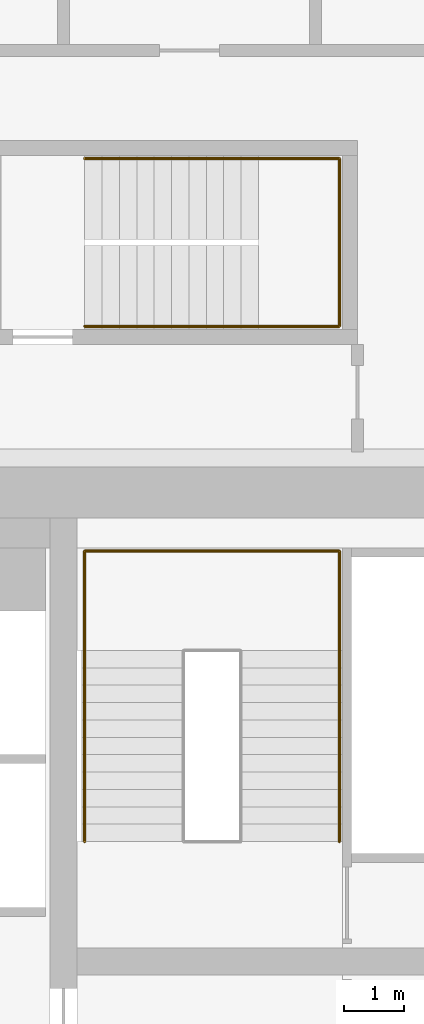
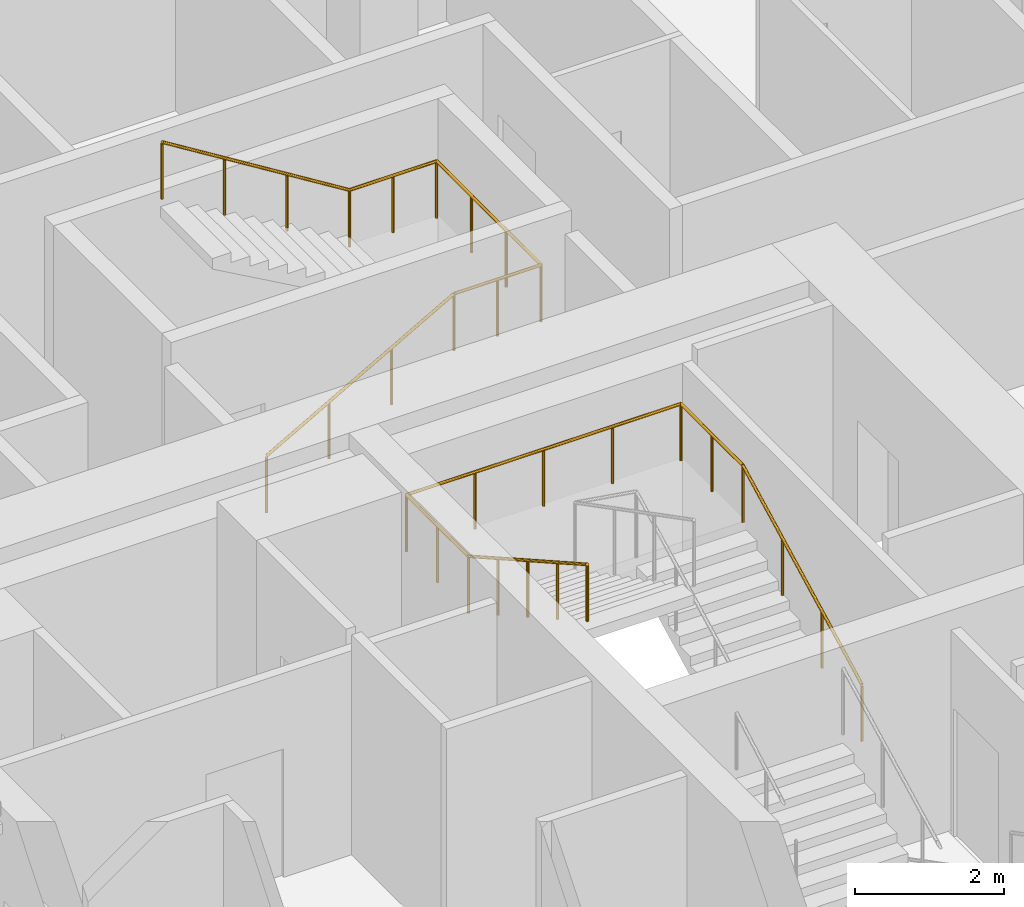
# One storey, part 33 of 33: 2 railings.
"""IFC4 building model written with IfcOpenShell, lengths in metres."""

import ifcopenshell
import ifcopenshell.guid

model = None  # the IFC model being written
_history = None  # IfcOwnerHistory: only IFC2X3 demands one
_inside = {}  # id of a spatial element -> (the spatial element, [elements in it])
_under = {}  # id of a project, library or spatial element -> (it, [spatial elements below it])
_declared = {}  # id of a project -> (the project, [libraries it declares])
_typed = {}  # id of a type object -> (the type object, [elements of that type])
_made_of = {}  # id of a material, layer set ... -> (it, [elements and type objects made of it])


def new_model(schema):
    """Start an empty IFC model of exactly this schema.

    Asked for "IFC4X3", IfcOpenShell would pick the latest addendum, in which some entities
    have other attributes; the version numbers below select the first issue.
    IFC2X3 requires an IfcOwnerHistory on every rooted entity: one is made here for all.
    """
    global model, _history
    if schema == "IFC4X3":
        model = ifcopenshell.file(schema_version=(4, 3, 0, 0))
    else:
        model = ifcopenshell.file(schema=schema)
    _inside.clear()
    _under.clear()
    _declared.clear()
    _typed.clear()
    _made_of.clear()
    _history = None
    if model.schema == "IFC2X3":
        org = make("IfcOrganization", Name="unknown")
        user = make(
            "IfcPersonAndOrganization",
            ThePerson=make("IfcPerson", FamilyName="unknown"),
            TheOrganization=org,
        )
        app = make(
            "IfcApplication",
            ApplicationDeveloper=org,
            Version="unknown",
            ApplicationFullName="unknown",
            ApplicationIdentifier="unknown",
        )
        _history = make(
            "IfcOwnerHistory",
            OwningUser=user,
            OwningApplication=app,
            ChangeAction="ADDED",
            CreationDate=0,
        )
    return model


def make(cls, **values):
    """One entity of the class cls with the attributes given. An attribute that is None is left unset."""
    return model.create_entity(
        cls, **{name: value for name, value in values.items() if value is not None}
    )


def rooted(cls, **values):
    """An entity with a GlobalId (a new one), such as an element, a storey or a relation."""
    return make(cls, GlobalId=ifcopenshell.guid.new(), OwnerHistory=_history, **values)


def si_unit(unit_type, name, prefix=None):
    """IfcSIUnit, for example si_unit("LENGTHUNIT", "METRE", prefix="MILLI")."""
    return make("IfcSIUnit", UnitType=unit_type, Prefix=prefix, Name=name)


def assignment(units):
    """IfcUnitAssignment: the units of a project."""
    return None if units is None else make("IfcUnitAssignment", Units=units)


def point(xyz):
    """IfcCartesianPoint."""
    return None if xyz is None else make("IfcCartesianPoint", Coordinates=xyz)


def direction(xyz):
    """IfcDirection."""
    return None if xyz is None else make("IfcDirection", DirectionRatios=xyz)


def frame(location, z_axis=None, x_axis=None):
    """IfcAxis2Placement3D, a coordinate frame: its origin and axes. An axis left out is left unset."""
    return make(
        "IfcAxis2Placement3D",
        Location=point(location),
        Axis=direction(z_axis),
        RefDirection=direction(x_axis),
    )


def frame_2d(location, x_axis=None):
    """IfcAxis2Placement2D, a coordinate frame in the plane: its origin and x axis."""
    return make(
        "IfcAxis2Placement2D", Location=point(location), RefDirection=direction(x_axis)
    )


def origin():
    """The frame at (0, 0, 0) with its axes left unset."""
    return frame((0.0, 0.0, 0.0))


def origin_2d():
    """The frame at (0, 0) in the plane with its x axis left unset."""
    return frame_2d((0.0, 0.0))


def place(relative_to, where):
    """IfcLocalPlacement: puts the frame where relative to a parent placement (None: the world)."""
    return make(
        "IfcLocalPlacement", PlacementRelTo=relative_to, RelativePlacement=where
    )


def context(
    kind, dimensions, precision=None, world=None, true_north=None, identifier=None
):
    """IfcGeometricRepresentationContext, for example the 3D "Model" context."""
    return make(
        "IfcGeometricRepresentationContext",
        ContextIdentifier=identifier,
        ContextType=kind,
        CoordinateSpaceDimension=dimensions,
        Precision=precision,
        WorldCoordinateSystem=world,
        TrueNorth=true_north,
    )


def subcontext(parent, identifier, kind, view, scale=None):
    """IfcGeometricRepresentationSubContext, for example "Body" below "Model"."""
    return make(
        "IfcGeometricRepresentationSubContext",
        ContextIdentifier=identifier,
        ContextType=kind,
        ParentContext=parent,
        TargetScale=scale,
        TargetView=view,
    )


def project(units=None, contexts=None):
    """IfcProject with its units and contexts."""
    return rooted(
        "IfcProject",
        Name="project",
        RepresentationContexts=contexts,
        UnitsInContext=assignment(units),
    )


def spatial(cls, under=None, at=None, **own):
    """A site, building, storey or space (cls), placed at a placement, below another one or the project."""
    s = rooted(cls, ObjectPlacement=at, **own)
    if under is not None:
        _under.setdefault(under.id(), (under, []))[1].append(s)
    return s


def profile(cls, at=None, kind="AREA", **sizes):
    """A parametric profile (cls). Its sizes go by their IFC names, for example OverallWidth=200.0."""
    return make(cls, ProfileType=kind, Position=at, **sizes)


def circle(**sizes):
    """IfcCircleProfileDef."""
    return profile("IfcCircleProfileDef", **sizes)


def extrude(swept, where, along, depth):
    """IfcExtrudedAreaSolid: the profile swept, set in the frame where, extruded along a direction by depth."""
    return make(
        "IfcExtrudedAreaSolid",
        SweptArea=swept,
        Position=where,
        ExtrudedDirection=direction(along),
        Depth=depth,
    )


def shape(context_of_items, identifier, shape_type, items):
    """IfcShapeRepresentation: the items that make up one representation, for example the "Body"."""
    return make(
        "IfcShapeRepresentation",
        ContextOfItems=context_of_items,
        RepresentationIdentifier=identifier,
        RepresentationType=shape_type,
        Items=items,
    )


def material(Name=None, Category=None):
    """IfcMaterial."""
    return make("IfcMaterial", Name=Name, Category=Category)


def made_of(thing, what):
    """Note that an element or type object is made of a material, layer set ...; save() writes the relation."""
    if what is not None:
        _made_of.setdefault(what.id(), (what, []))[1].append(thing)
    return thing


def type_object(cls, material=None, **own):
    """A type object (cls), such as IfcWallType, which elements share."""
    return made_of(rooted(cls, **own), material)


def element(
    cls,
    number,
    at=None,
    inside=None,
    cuts=None,
    type_object=None,
    material=None,
    context=None,
    identifier="Body",
    shape_type=None,
    held_by="IfcProductDefinitionShape",
    body=None,
    shapes=None,
    **own,
):
    """One element of the class cls, such as IfcWall. Its Tag is "e" and its number.

    at: its placement. inside: the storey or other place that contains it. cuts: it is an
    opening in that element (IfcRelVoidsElement). A single representation is given by context,
    identifier, shape_type and body (its items); several are given by shapes. held_by: the class
    of the entity that holds the representations. save() writes the other relations.
    """
    e = rooted(cls, Tag="e%d" % number, ObjectPlacement=at, **own)
    if body is not None:
        shapes = [shape(context, identifier, shape_type, body)]
    if shapes is not None:
        e.Representation = make(held_by, Representations=shapes)
    if inside is not None:
        _inside.setdefault(inside.id(), (inside, []))[1].append(e)
    if cuts is not None:
        rooted(
            "IfcRelVoidsElement", RelatingBuildingElement=cuts, RelatedOpeningElement=e
        )
    if type_object is not None:
        _typed.setdefault(type_object.id(), (type_object, []))[1].append(e)
    return made_of(e, material)


def aggregate(whole, parts):
    """IfcRelAggregates: a whole, such as a stair, and the parts it consists of."""
    return rooted("IfcRelAggregates", RelatingObject=whole, RelatedObjects=parts)


def save(model, path):
    """Write the relations noted so far, then the file.

    IfcRelAggregates (storeys below a building ...), IfcRelContainedInSpatialStructure (elements
    in a storey), IfcRelDefinesByType, IfcRelAssociatesMaterial and IfcRelDeclares: one each for
    every whole, place, type object, material and project.
    """
    for whole, parts in _under.values():
        aggregate(whole, parts)
    for where, things in _inside.values():
        rooted(
            "IfcRelContainedInSpatialStructure",
            RelatedElements=things,
            RelatingStructure=where,
        )
    for kind, things in _typed.values():
        rooted("IfcRelDefinesByType", RelatedObjects=things, RelatingType=kind)
    for what, things in _made_of.values():
        rooted("IfcRelAssociatesMaterial", RelatedObjects=things, RelatingMaterial=what)
    for by, libraries in _declared.values():
        rooted("IfcRelDeclares", RelatingContext=by, RelatedDefinitions=libraries)
    model.write(path)


model = new_model("IFC4")

# Units and contexts
model_context = context("Model", 3, precision=1e-05, world=origin(), true_north=direction((0.0, 1.0)))
body_context = subcontext(model_context, "Body", "Model", "MODEL_VIEW")
ifc_project = project(units=[si_unit("LENGTHUNIT", "METRE"), si_unit("AREAUNIT", "SQUARE_METRE"), si_unit("VOLUMEUNIT", "CUBIC_METRE"), si_unit("PLANEANGLEUNIT", "RADIAN"), si_unit("MASSUNIT", "GRAM", prefix="KILO")], contexts=[model_context])

# Site, building, storey
site_placement = place(None, origin())
site = spatial("IfcSite", under=ifc_project, at=site_placement, CompositionType="ELEMENT")
building_placement = place(site_placement, origin())
building = spatial("IfcBuilding", under=site, at=building_placement, Name="Marenta Gate Hotel Tower", CompositionType="ELEMENT")
storey_placement = place(building_placement, frame((0.0, 0.0, 122.89990234375)))
storey = spatial("IfcBuildingStorey", under=building, at=storey_placement, Name="L27", CompositionType="ELEMENT", Elevation=122.89990234375)

# Railings
ifc_material = material(Name="Stainless steel", Category="steel")
railing_type = type_object("IfcRailingType", Name="Core stair handrail 950", PredefinedType="HANDRAIL", material=ifc_material)
railing_1_placement = place(storey_placement, frame((8.800048828125, 10.39990234375, 0.150146484375)))
element("IfcRailing", 1, at=railing_1_placement, inside=storey, type_object=railing_type, Name="HR-950 L27-KR-ST4-1", PredefinedType="HANDRAIL", context=body_context, shape_type="SweptSolid", body=[
    extrude(circle(Radius=0.02392578125, at=origin_2d()), frame((0.0, 0.0, 0.92578125), z_axis=(0.0, 0.888239641807, 0.459380385653), x_axis=(-1.0, 0.0, 0.0)), (0.0, 0.0, 1.0), 3.591552734375),
    extrude(circle(Radius=0.02392578125, at=origin_2d()), frame((0.0, 3.190185546875, 2.57568359375), z_axis=(0.0, 1.0, 0.0), x_axis=(-1.0, 0.0, 0.0)), (0.0, 0.0, 1.0), 1.659912109375),
    extrude(circle(Radius=0.02392578125, at=origin_2d()), frame((0.0, 4.85009765625, 2.57568359375), z_axis=(-1.0, 0.0, 0.0), x_axis=(0.0, -1.0, 0.0)), (0.0, 0.0, 1.0), 4.25),
    extrude(circle(Radius=0.02392578125, at=origin_2d()), frame((-4.25, 4.85009765625, 2.57568359375), z_axis=(0.0, -1.0, 0.0), x_axis=(1.0, 0.0, 0.0)), (0.0, 0.0, 1.0), 1.659912109375),
    extrude(circle(Radius=0.02392578125, at=origin_2d()), frame((-4.25, 3.190185546875, 2.57568359375), z_axis=(0.0, -0.870925075533, 0.491415824742), x_axis=(1.0, 0.0, 0.0)), (0.0, 0.0, 1.0), 3.6630859375),
    extrude(circle(Radius=0.02099609375, at=origin_2d()), origin(), (0.0, 0.0, 1.0), 0.90185546875),
    extrude(circle(Radius=0.02099609375, at=origin_2d()), frame((0.0, 1.0634765625, 0.550048828125)), (0.0, 0.0, 1.0), 0.90185546875),
    extrude(circle(Radius=0.02099609375, at=origin_2d()), frame((0.0, 2.126708984375, 1.099853515625)), (0.0, 0.0, 1.0), 0.90185546875),
    extrude(circle(Radius=0.02099609375, at=origin_2d()), frame((0.0, 3.190185546875, 1.64990234375)), (0.0, 0.0, 1.0), 0.90185546875),
    extrude(circle(Radius=0.02099609375, at=origin_2d()), frame((0.0, 4.02001953125, 1.64990234375)), (0.0, 0.0, 1.0), 0.90185546875),
    extrude(circle(Radius=0.02099609375, at=origin_2d()), frame((0.0, 4.85009765625, 1.64990234375)), (0.0, 0.0, 1.0), 0.90185546875),
    extrude(circle(Radius=0.02099609375, at=origin_2d()), frame((-1.0625, 4.85009765625, 1.64990234375)), (0.0, 0.0, 1.0), 0.90185546875),
    extrude(circle(Radius=0.02099609375, at=origin_2d()), frame((-2.125, 4.85009765625, 1.64990234375)), (0.0, 0.0, 1.0), 0.90185546875),
    extrude(circle(Radius=0.02099609375, at=origin_2d()), frame((-3.1875, 4.85009765625, 1.64990234375)), (0.0, 0.0, 1.0), 0.90185546875),
    extrude(circle(Radius=0.02099609375, at=origin_2d()), frame((-4.25, 4.85009765625, 1.64990234375)), (0.0, 0.0, 1.0), 0.90185546875),
    extrude(circle(Radius=0.02099609375, at=origin_2d()), frame((-4.25, 4.02001953125, 1.64990234375)), (0.0, 0.0, 1.0), 0.90185546875),
    extrude(circle(Radius=0.02099609375, at=origin_2d()), frame((-4.25, 3.190185546875, 1.64990234375)), (0.0, 0.0, 1.0), 0.90185546875),
    extrude(circle(Radius=0.02099609375, at=origin_2d()), frame((-4.25, 2.392578125, 2.099853515625)), (0.0, 0.0, 1.0), 0.90185546875),
    extrude(circle(Radius=0.02099609375, at=origin_2d()), frame((-4.25, 1.59521484375, 2.5498046875)), (0.0, 0.0, 1.0), 0.90185546875),
    extrude(circle(Radius=0.02099609375, at=origin_2d()), frame((-4.25, 0.797607421875, 3.0)), (0.0, 0.0, 1.0), 0.90185546875),
    extrude(circle(Radius=0.02099609375, at=origin_2d()), frame((-4.25, 0.0, 3.449951171875)), (0.0, 0.0, 1.0), 0.90185546875),
])
railing_2_placement = place(storey_placement, frame((4.550048828125, 19.0, 0.163818359375)))
element("IfcRailing", 2, at=railing_2_placement, inside=storey, type_object=railing_type, Name="HR-950 L27-RS-Z2-4-KR-1", PredefinedType="HANDRAIL", context=body_context, shape_type="SweptSolid", body=[
    extrude(circle(Radius=0.02392578125, at=origin_2d()), frame((0.0, 0.0, 0.92578125), z_axis=(0.870928581787, 0.0, 0.491409610636), x_axis=(0.0, 1.0, 0.0)), (0.0, 0.0, 1.0), 3.32958984375),
    extrude(circle(Radius=0.02392578125, at=origin_2d()), frame((2.89990234375, 0.0, 2.56201171875), z_axis=(1.0, 0.0, 0.0), x_axis=(0.0, 1.0, 0.0)), (0.0, 0.0, 1.0), 1.35009765625),
    extrude(circle(Radius=0.02392578125, at=origin_2d()), frame((4.25, 0.0, 2.56201171875), z_axis=(0.0, 1.0, 0.0), x_axis=(-1.0, 0.0, 0.0)), (0.0, 0.0, 1.0), 2.800048828125),
    extrude(circle(Radius=0.02392578125, at=origin_2d()), frame((4.25, 2.800048828125, 2.56201171875), z_axis=(-1.0, 0.0, 0.0), x_axis=(0.0, -1.0, 0.0)), (0.0, 0.0, 1.0), 1.35009765625),
    extrude(circle(Radius=0.02392578125, at=origin_2d()), frame((2.89990234375, 2.800048828125, 2.56201171875), z_axis=(-0.849625798611, 0.0, 0.527386008853), x_axis=(0.0, -1.0, 0.0)), (0.0, 0.0, 1.0), 3.4130859375),
    extrude(circle(Radius=0.02099609375, at=origin_2d()), origin(), (0.0, 0.0, 1.0), 0.90185546875),
    extrude(circle(Radius=0.02099609375, at=origin_2d()), frame((0.966552734375, 0.0, 0.54541015625)), (0.0, 0.0, 1.0), 0.90185546875),
    extrude(circle(Radius=0.02099609375, at=origin_2d()), frame((1.933349609375, 0.0, 1.0908203125)), (0.0, 0.0, 1.0), 0.90185546875),
    extrude(circle(Radius=0.02099609375, at=origin_2d()), frame((2.89990234375, 0.0, 1.63623046875)), (0.0, 0.0, 1.0), 0.90185546875),
    extrude(circle(Radius=0.02099609375, at=origin_2d()), frame((3.574951171875, 0.0, 1.63623046875)), (0.0, 0.0, 1.0), 0.90185546875),
    extrude(circle(Radius=0.02099609375, at=origin_2d()), frame((4.25, 0.0, 1.63623046875)), (0.0, 0.0, 1.0), 0.90185546875),
    extrude(circle(Radius=0.02099609375, at=origin_2d()), frame((4.25, 0.933349609375, 1.63623046875)), (0.0, 0.0, 1.0), 0.90185546875),
    extrude(circle(Radius=0.02099609375, at=origin_2d()), frame((4.25, 1.86669921875, 1.63623046875)), (0.0, 0.0, 1.0), 0.90185546875),
    extrude(circle(Radius=0.02099609375, at=origin_2d()), frame((4.25, 2.800048828125, 1.63623046875)), (0.0, 0.0, 1.0), 0.90185546875),
    extrude(circle(Radius=0.02099609375, at=origin_2d()), frame((3.574951171875, 2.800048828125, 1.63623046875)), (0.0, 0.0, 1.0), 0.90185546875),
    extrude(circle(Radius=0.02099609375, at=origin_2d()), frame((2.89990234375, 2.800048828125, 1.63623046875)), (0.0, 0.0, 1.0), 0.90185546875),
    extrude(circle(Radius=0.02099609375, at=origin_2d()), frame((1.933349609375, 2.800048828125, 2.236328125)), (0.0, 0.0, 1.0), 0.90185546875),
    extrude(circle(Radius=0.02099609375, at=origin_2d()), frame((0.966552734375, 2.800048828125, 2.836181640625)), (0.0, 0.0, 1.0), 0.90185546875),
    extrude(circle(Radius=0.02099609375, at=origin_2d()), frame((0.0, 2.800048828125, 3.436279296875)), (0.0, 0.0, 1.0), 0.90185546875),
])

save(model, "model.ifc")
